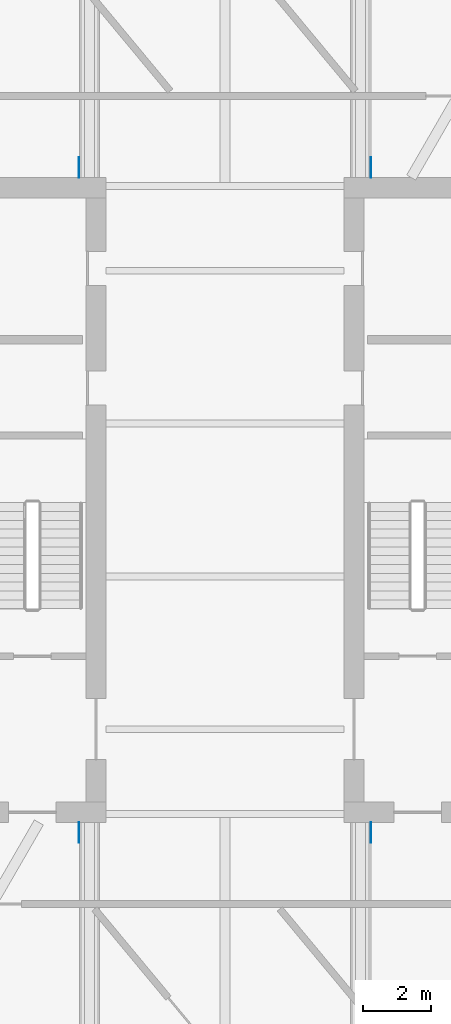
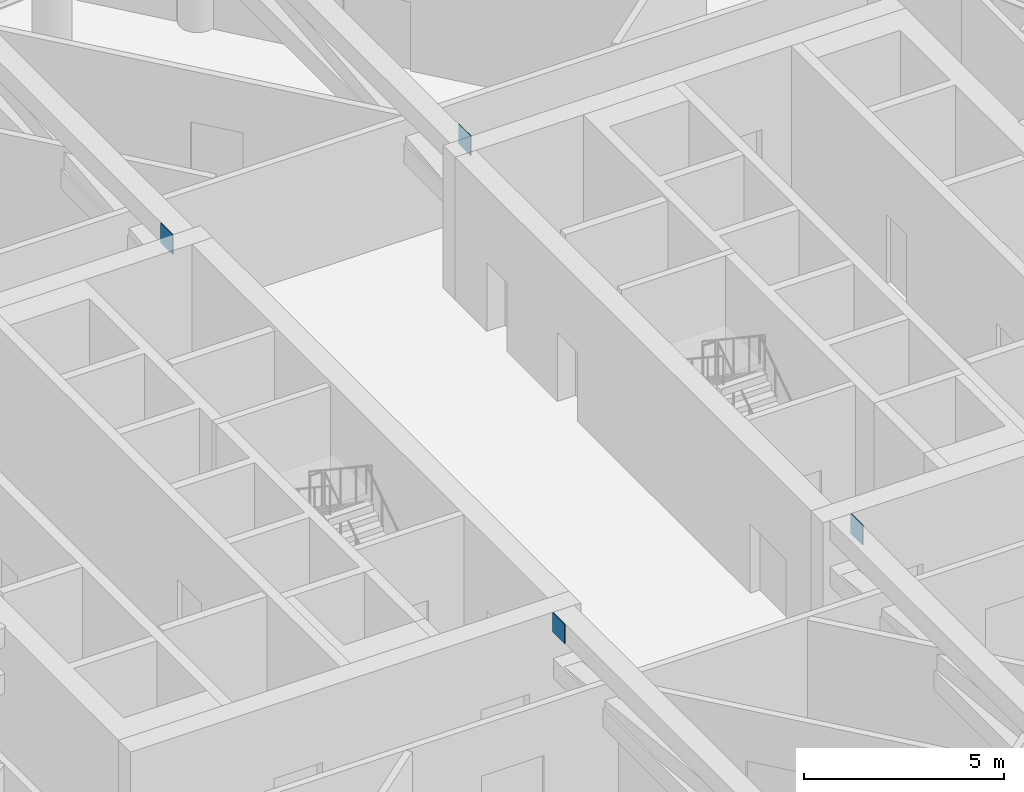
# One storey, part 15 of 22: 4 discrete accessories.
"""IFC4 building model written with IfcOpenShell, lengths in metres."""

from ifc_helpers import new_model, si_unit, direction, frame, origin, origin_2d, place, context, subcontext, project, spatial, rectangle, extrude, material, type_object, element, save


model = new_model("IFC4")

# Units and contexts
model_context = context("Model", 3, precision=1e-05, world=origin(), true_north=direction((0.0, 1.0)))
body_context = subcontext(model_context, "Body", "Model", "MODEL_VIEW")
ifc_project = project(units=[si_unit("LENGTHUNIT", "METRE"), si_unit("AREAUNIT", "SQUARE_METRE"), si_unit("VOLUMEUNIT", "CUBIC_METRE"), si_unit("PLANEANGLEUNIT", "RADIAN"), si_unit("MASSUNIT", "GRAM", prefix="KILO")], contexts=[model_context])

# Site, building, storey
site_placement = place(None, origin())
site = spatial("IfcSite", under=ifc_project, at=site_placement, CompositionType="ELEMENT")
building_placement = place(site_placement, origin())
building = spatial("IfcBuilding", under=site, at=building_placement, Name="Tamarind Cross Interchange Tower", CompositionType="ELEMENT")
storey_placement = place(building_placement, frame((0.0, 0.0, 178.0)))
storey = spatial("IfcBuildingStorey", under=building, at=storey_placement, Name="L44", CompositionType="ELEMENT", Elevation=178.0)

# Discrete accessories
ifc_material = material(Name="Steel Q420B", Category="steel")
discrete_accessory_type = type_object("IfcDiscreteAccessoryType", Name="Gusset plate 20 mm Steel Q420B", PredefinedType="BRACKET", material=ifc_material)
for number, where, z_axis, x_axis, name in (
    (1, (4.303955078125, 9.800048828125, 3.760009765625), (0.0, 0.0, 1.0), (1.0, 0.0, 0.0), "Gusset plate H08"),
    (2, (-4.303955078125, 9.800048828125, 3.760009765625), (0.0, 0.0, 1.0), (1.0, 0.0, 0.0), "Gusset plate H10"),
    (3, (-4.303955078125, -9.800048828125, 3.760009765625), (0.0, 0.0, 1.0), (1.0, 0.0, 0.0), "Gusset plate H26"),
    (4, (4.303955078125, -9.800048828125, 3.760009765625), (0.0, 0.0, 1.0), (1.0, 0.0, 0.0), "Gusset plate H28"),
):
    element("IfcDiscreteAccessory", number, at=place(storey_placement, frame(where, z_axis=z_axis, x_axis=x_axis)), inside=storey, type_object=discrete_accessory_type, Name=name, PredefinedType="BRACKET", context=body_context, shape_type="SweptSolid", body=[
        extrude(rectangle(XDim=0.02001953125, YDim=0.60009765625, at=origin_2d()), origin(), (0.0, 0.0, 1.0), 0.60009765625),
    ])

save(model, "model.ifc")
